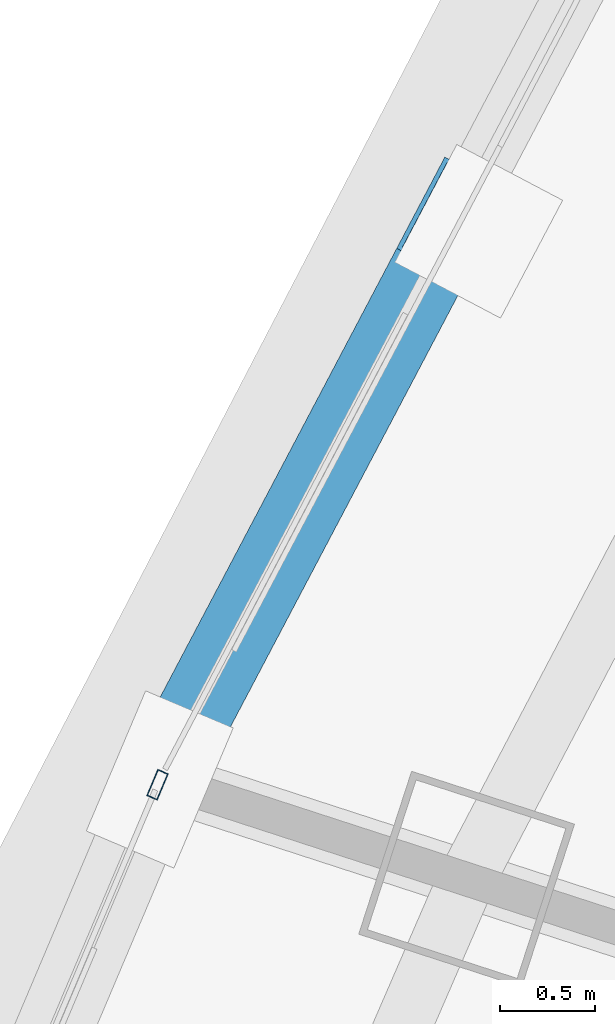
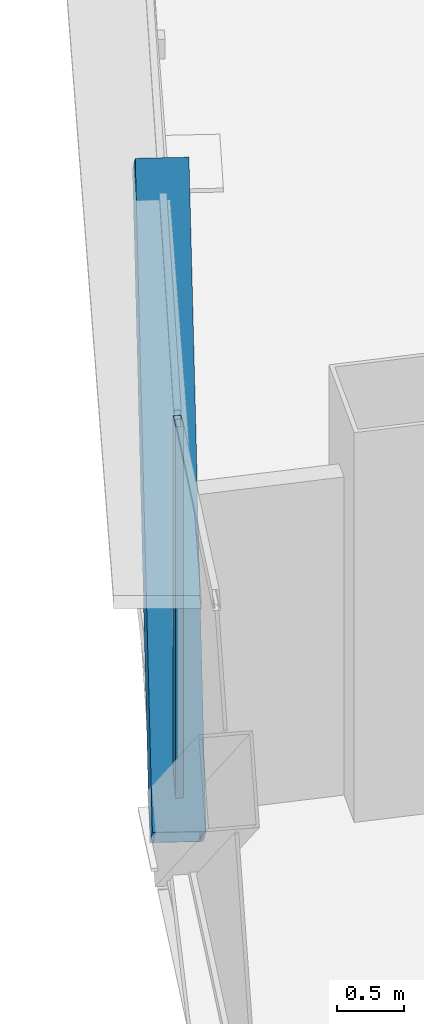
# One storey, part 8 of 37: 2 members, 1 element without a shape of its own.
"""IFC4 building model written with IfcOpenShell, lengths in metres."""

from ifc_helpers import new_model, si_unit, direction, frame, origin, origin_2d, place, context, subcontext, project, spatial, hollow_rectangle, extrude, source, transform, mapped, material, layer, layer_set, material_profile, profile_set, type_object, element, aggregate, save


model = new_model("IFC4")

# Units and contexts
model_context = context("Model", 3, precision=1e-05, world=origin(), true_north=direction((0.0, 1.0)))
body_context = subcontext(model_context, "Body", "Model", "MODEL_VIEW")
ifc_project = project(units=[si_unit("LENGTHUNIT", "METRE"), si_unit("AREAUNIT", "SQUARE_METRE"), si_unit("VOLUMEUNIT", "CUBIC_METRE"), si_unit("PLANEANGLEUNIT", "RADIAN"), si_unit("MASSUNIT", "GRAM", prefix="KILO"), si_unit("THERMODYNAMICTEMPERATUREUNIT", "KELVIN"), si_unit("POWERUNIT", "WATT")], contexts=[model_context])

# Site, building, storey
site_placement = place(None, origin())
site = spatial("IfcSite", under=ifc_project, at=site_placement, CompositionType="ELEMENT")
building_placement = place(site_placement, origin())
building = spatial("IfcBuilding", under=site, at=building_placement, Name="Yunzhuo Pagoda Commons", CompositionType="ELEMENT")
storey_placement = place(building_placement, frame((0.0, 0.0, 207.56005859375)))
storey = spatial("IfcBuildingStorey", under=building, at=storey_placement, Name="L52", CompositionType="ELEMENT", Elevation=207.56005859375)

# Member
ifc_material_1 = material(Name="Structural steel Q355B", Category="steel")
ifc_material_profile_1 = material_profile(ifc_material_1, hollow_rectangle(XDim=0.39990234375, YDim=0.719970703125, WallThickness=0.02392578125, at=origin_2d()), Name="Structural steel Q355B")
ifc_profile_set_1 = profile_set([ifc_material_profile_1], Name="Structural steel Q355B")
member_type_1 = type_object("IfcMemberType", Name="M-DL2 Brace BOX 720x400x24", PredefinedType="BRACE", material=ifc_profile_set_1)
shared_shape_1 = source(origin(), body_context, "Body", "SweptSolid", [
    extrude(hollow_rectangle(XDim=0.39990234375, YDim=0.719970703125, WallThickness=0.02392578125, at=origin_2d()), origin(), (0.0, 0.0, 1.0), 5.046630859375),
])
member_1_placement = place(storey_placement, frame((17.892578125, 43.482421875, -0.260009765625), z_axis=(0.306861600921, 0.582083995316, 0.753003439751), x_axis=(-0.884603842661, 0.466343265791, 0.0)))
element("IfcMember", 1, at=member_1_placement, inside=storey, type_object=member_type_1, Name="L52 facade diamond brace F3.2R", PredefinedType="BRACE", context=body_context, shape_type="MappedRepresentation", body=[
    mapped(shared_shape_1, transform((0.0, 0.0, 0.0), scale=1.0)),
])

# Curtain wall, member
ifc_material_2 = material(Name="Anodized aluminium 6063-T6", Category="aluminium")
ifc_layer = layer(ifc_material_2, 0.14990234375)
ifc_layer_set = layer_set([ifc_layer], Name="Anodized aluminium 6063-T6")
curtain_wall_type = type_object("IfcCurtainWallType", Name="CW-MID Mid-Zone Ribbon Curtain Wall", PredefinedType="NOTDEFINED", material=ifc_layer_set)
curtain_wall_placement = place(storey_placement, origin())
curtain_wall = element("IfcCurtainWall", 2, at=curtain_wall_placement, inside=storey, type_object=curtain_wall_type, Name="L52 curtain wall CW-L52-F3B4", PredefinedType="NOTDEFINED")
ifc_material_profile_2 = material_profile(ifc_material_2, hollow_rectangle(XDim=0.06005859375, YDim=0.14990234375, WallThickness=0.00390625, at=origin_2d()), Name="Anodized aluminium 6063-T6")
ifc_profile_set_2 = profile_set([ifc_material_profile_2], Name="Anodized aluminium 6063-T6")
member_type_2 = type_object("IfcMemberType", Name="CW-MID-M Mullion RHS 150x60x4", PredefinedType="MULLION", material=ifc_profile_set_2)
shared_shape_2 = source(origin(), body_context, "Body", "SweptSolid", [
    extrude(hollow_rectangle(XDim=0.06005859375, YDim=0.14990234375, WallThickness=0.00390625, at=origin_2d()), origin(), (0.0, 0.0, 1.0), 3.5400390625),
])
member_2_placement = place(storey_placement, frame((17.880859375, 43.454833984375, 0.0), z_axis=(0.0, 0.0, 1.0), x_axis=(0.920824274127, -0.389977763697, 0.0)))
member_2 = element("IfcMember", 3, at=member_2_placement, type_object=member_type_2, Name="CW mullion 1", PredefinedType="MULLION", context=body_context, shape_type="MappedRepresentation", body=[
    mapped(shared_shape_2, transform((0.0, 0.0, 0.0), scale=1.0)),
])
aggregate(curtain_wall, [member_2])

save(model, "model.ifc")
